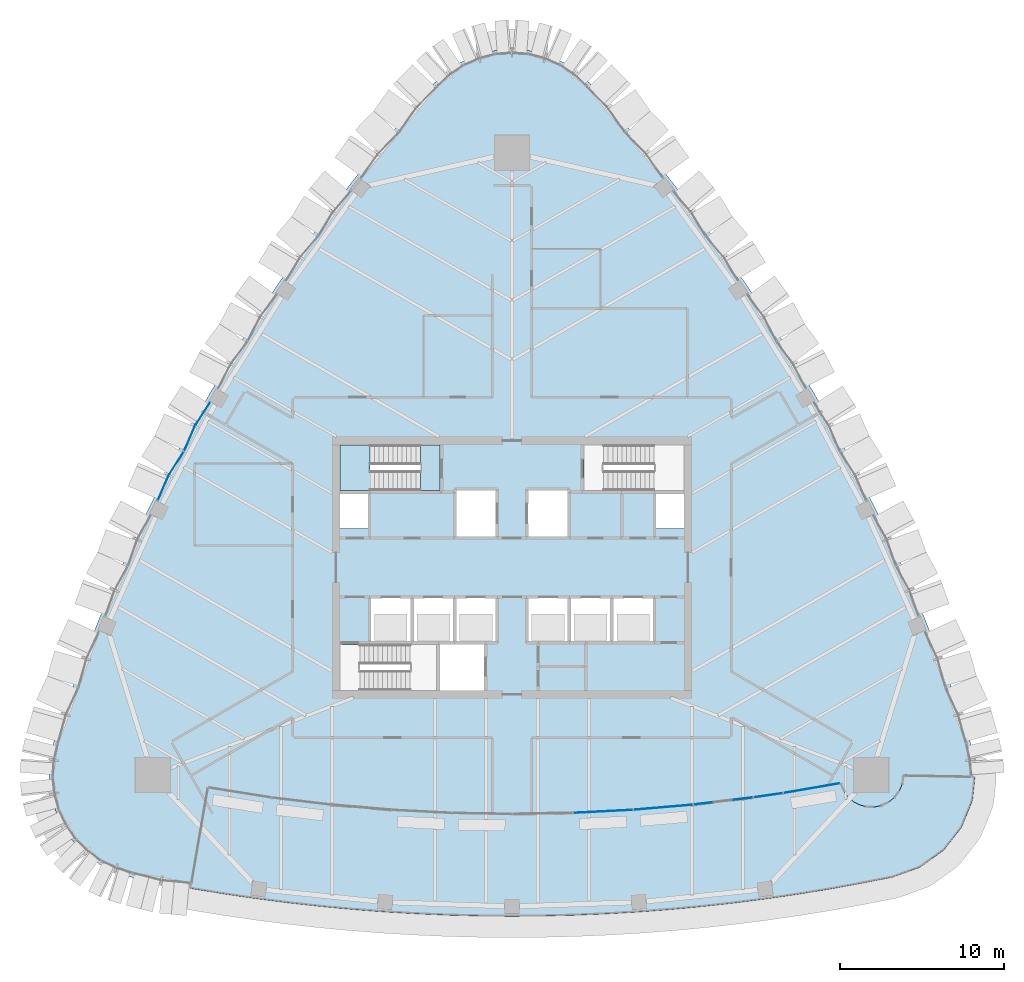
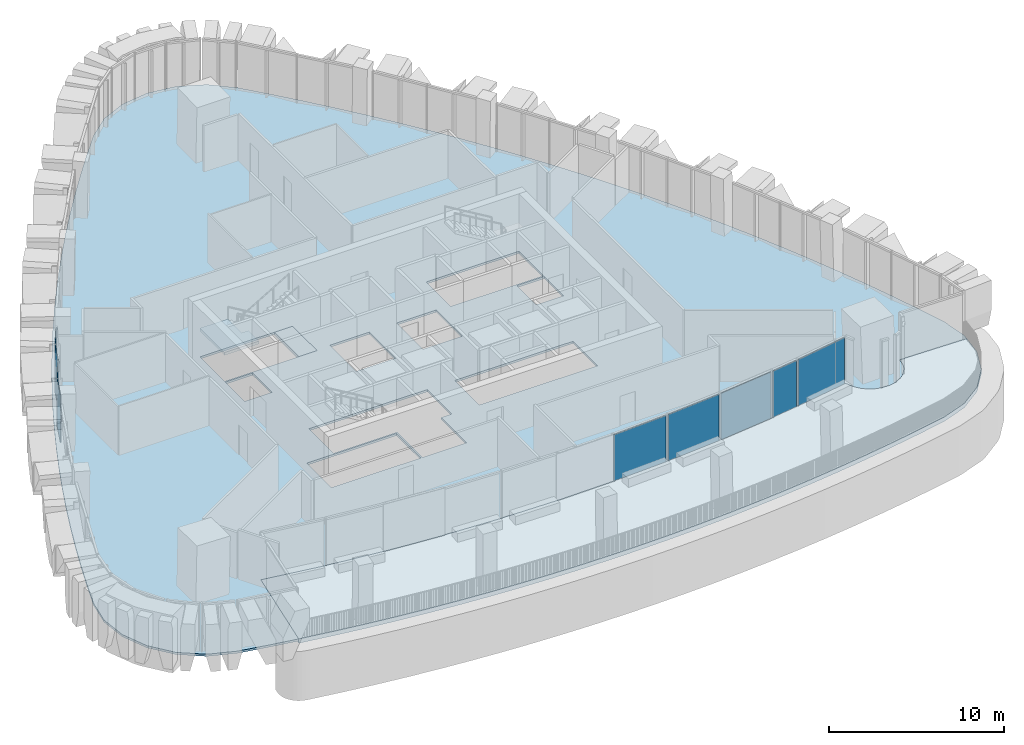
# One storey, part 10 of 22: 9 plates, 4 slabs, 7 elements without a shape of their own.
"""IFC4 building model written with IfcOpenShell, lengths in metres."""

from ifc_helpers import new_model, si_unit, direction, frame, origin, origin_2d, place, context, subcontext, project, spatial, polyline, rectangle, outline, extrude, material, layer, layer_set, type_object, element, aggregate, save


model = new_model("IFC4")

# Units and contexts
model_context = context("Model", 3, precision=1e-05, world=origin(), true_north=direction((0.0, 1.0)))
body_context = subcontext(model_context, "Body", "Model", "MODEL_VIEW")
ifc_project = project(units=[si_unit("LENGTHUNIT", "METRE"), si_unit("AREAUNIT", "SQUARE_METRE"), si_unit("VOLUMEUNIT", "CUBIC_METRE"), si_unit("PLANEANGLEUNIT", "RADIAN"), si_unit("MASSUNIT", "GRAM", prefix="KILO")], contexts=[model_context])

# Site, building, storey
site_placement = place(None, origin())
site = spatial("IfcSite", under=ifc_project, at=site_placement, CompositionType="ELEMENT")
building_placement = place(site_placement, origin())
building = spatial("IfcBuilding", under=site, at=building_placement, Name="Sierra Prisma Convention Tower", CompositionType="ELEMENT")
storey_placement = place(building_placement, frame((0.0, 0.0, 243.0)))
storey = spatial("IfcBuildingStorey", under=building, at=storey_placement, Name="L54", CompositionType="ELEMENT", Elevation=243.0)

# Curtain wall, plates
ifc_material_1 = material(Name="Aluminium and glass curtain wall", Category="aluminium")
ifc_layer_1 = layer(ifc_material_1, 0.179931640625)
ifc_layer_set_1 = layer_set([ifc_layer_1], Name="CW-2 Faceted crystal curtain wall")
curtain_wall_type_1 = type_object("IfcCurtainWallType", Name="CW-2 Faceted crystal curtain wall", PredefinedType="NOTDEFINED", material=ifc_layer_set_1)
curtain_wall_1_placement = place(storey_placement, origin())
curtain_wall_1 = element("IfcCurtainWall", 1, at=curtain_wall_1_placement, inside=storey, type_object=curtain_wall_type_1, Name="CW-2 NW4 L54", PredefinedType="NOTDEFINED")
ifc_material_2 = material(Name="Tinted glass bronze-grey IGU", Category="glass")
ifc_layer_2 = layer(ifc_material_2, 0.028076171875)
ifc_layer_set_2 = layer_set([ifc_layer_2], Name="CW-2 crystal pane")
plate_type_1 = type_object("IfcPlateType", Name="CW-2 crystal pane", PredefinedType="CURTAIN_PANEL", material=ifc_layer_set_2)
plate_1_placement = place(storey_placement, frame((-18.479248046875, 10.06884765625, 0.0), z_axis=(-0.842922209578, 0.538035452922, 0.0), x_axis=(-0.538035452922, -0.842922209578, 0.0)))
plate_1 = element("IfcPlate", 2, at=plate_1_placement, type_object=plate_type_1, Name="CW-2 pane NW4.1.1", PredefinedType="CURTAIN_PANEL", context=body_context, shape_type="SweptSolid", body=[
    extrude(outline(polyline([(0.0, 0.0), (1.6063213080226335, 0.0), (1.6063213080226335, 3.280029296875), (0.0, 3.280029296875), (0.0, 0.0)])), origin(), (0.0, 0.0, -1.0), 0.028076171875),
])
plate_2_placement = place(storey_placement, frame((-20.0458984375, 7.127685546875, 0.0), z_axis=(-0.916770177759, 0.399415123865, 0.0), x_axis=(0.399415123865, 0.916770177759, 0.0)))
plate_2 = element("IfcPlate", 3, at=plate_2_placement, type_object=plate_type_1, Name="CW-2 pane NW4.1.2", PredefinedType="CURTAIN_PANEL", context=body_context, shape_type="SweptSolid", body=[
    extrude(outline(polyline([(0.0, 0.0), (1.6063526996480268, 0.0), (1.6063526996480268, -3.280029296875), (0.0, -3.280029296875), (0.0, 0.0)])), origin(), (0.0, 0.0, -1.0), 0.028076171875),
])
plate_3_placement = place(storey_placement, frame((-20.078857421875, 7.06591796875, 0.0), z_axis=(-0.842966198768, 0.537966530311, 0.0), x_axis=(-0.537966530311, -0.842966198768, 0.0)))
plate_3 = element("IfcPlate", 4, at=plate_3_placement, type_object=plate_type_1, Name="CW-2 pane NW4.2.1", PredefinedType="CURTAIN_PANEL", context=body_context, shape_type="SweptSolid", body=[
    extrude(outline(polyline([(0.0, 0.0), (1.6065271049478245, 0.0), (1.6065271049478245, 3.280029296875), (0.0, 3.280029296875), (0.0, 0.0)])), origin(), (0.0, 0.0, -1.0), 0.028076171875),
])
plate_4_placement = place(storey_placement, frame((-21.645751953125, 4.124755859375, 0.0), z_axis=(-0.91671451981, 0.399542850229, 0.0), x_axis=(0.399542850229, 0.91671451981, 0.0)))
plate_4 = element("IfcPlate", 5, at=plate_4_placement, type_object=plate_type_1, Name="CW-2 pane NW4.2.2", PredefinedType="CURTAIN_PANEL", context=body_context, shape_type="SweptSolid", body=[
    extrude(outline(polyline([(0.0, 0.0), (1.606450228698072, 0.0), (1.606450228698072, -3.280029296875), (0.0, -3.280029296875), (0.0, 0.0)])), origin(), (0.0, 0.0, -1.0), 0.028076171875),
])
aggregate(curtain_wall_1, [plate_1, plate_2, plate_3, plate_4])

# Curtain wall, plate
ifc_material_3 = material(Name="Aluminium and glass curtain wall", Category="aluminium")
ifc_layer_3 = layer(ifc_material_3, 0.179931640625)
ifc_layer_set_3 = layer_set([ifc_layer_3], Name="CW-6 Terrace recess curtain wall")
curtain_wall_type_2 = type_object("IfcCurtainWallType", Name="CW-6 Terrace recess curtain wall", PredefinedType="NOTDEFINED", material=ifc_layer_set_3)
curtain_wall_2_placement = place(storey_placement, origin())
curtain_wall_2 = element("IfcCurtainWall", 6, at=curtain_wall_2_placement, inside=storey, type_object=curtain_wall_type_2, Name="CW-6 R7 L54", PredefinedType="NOTDEFINED")
ifc_material_4 = material(Name="Tinted glass bronze-grey IGU", Category="glass")
ifc_layer_4 = layer(ifc_material_4, 0.028076171875)
ifc_layer_set_4 = layer_set([ifc_layer_4], Name="CW-6 glass panel")
plate_type_2 = type_object("IfcPlateType", Name="CW-6 glass panel", PredefinedType="CURTAIN_PANEL", material=ifc_layer_set_4)
plate_5_placement = place(storey_placement, frame((5.531005859375, -14.898193359375, 0.0), z_axis=(0.0, 0.0, 1.0), x_axis=(0.998688784171, 0.051192893759, 0.0)))
plate_5 = element("IfcPlate", 7, at=plate_5_placement, type_object=plate_type_2, Name="CW-6 panel R7.1", PredefinedType="CURTAIN_PANEL", context=body_context, shape_type="SweptSolid", body=[
    extrude(rectangle(XDim=3.54931640625, YDim=0.028076171875, at=origin_2d()), origin(), (0.0, 0.0, 1.0), 3.219970703125),
])
aggregate(curtain_wall_2, [plate_5])

curtain_wall_3_placement = place(storey_placement, origin())
curtain_wall_3 = element("IfcCurtainWall", 8, at=curtain_wall_3_placement, inside=storey, type_object=curtain_wall_type_2, Name="CW-6 R8 L54", PredefinedType="NOTDEFINED")
plate_6_placement = place(storey_placement, frame((9.211181640625, -14.646484375, 0.0), z_axis=(0.0, 0.0, 1.0), x_axis=(0.99635914901, 0.08525518274, 0.0)))
plate_6 = element("IfcPlate", 9, at=plate_6_placement, type_object=plate_type_2, Name="CW-6 panel R8.1", PredefinedType="CURTAIN_PANEL", context=body_context, shape_type="SweptSolid", body=[
    extrude(rectangle(XDim=3.54931640625, YDim=0.028076171875, at=origin_2d()), origin(), (0.0, 0.0, 1.0), 3.219970703125),
])
aggregate(curtain_wall_3, [plate_6])

curtain_wall_4_placement = place(storey_placement, origin())
curtain_wall_4 = element("IfcCurtainWall", 10, at=curtain_wall_4_placement, inside=storey, type_object=curtain_wall_type_2, Name="CW-6 R9 L54", PredefinedType="NOTDEFINED")
plate_7_placement = place(storey_placement, frame((12.880615234375, -14.269287109375, 0.0), z_axis=(0.0, 0.0, 1.0), x_axis=(0.992868091138, 0.119218092591, 0.0)))
plate_7 = element("IfcPlate", 11, at=plate_7_placement, type_object=plate_type_2, Name="CW-6 panel R9.1", PredefinedType="CURTAIN_PANEL", context=body_context, shape_type="SweptSolid", body=[
    extrude(rectangle(XDim=3.54931640625, YDim=0.028076171875, at=origin_2d()), origin(), (0.0, 0.0, 1.0), 3.219970703125),
])
aggregate(curtain_wall_4, [plate_7])

curtain_wall_5_placement = place(storey_placement, origin())
curtain_wall_5 = element("IfcCurtainWall", 12, at=curtain_wall_5_placement, inside=storey, type_object=curtain_wall_type_2, Name="CW-6 R10 L54", PredefinedType="NOTDEFINED")
plate_8_placement = place(storey_placement, frame((15.624755859375, -13.916015625, 0.0), z_axis=(0.0, 0.0, 1.0), x_axis=(0.989490011307, 0.144601236248, 0.0)))
plate_8 = element("IfcPlate", 13, at=plate_8_placement, type_object=plate_type_2, Name="CW-6 panel R10.1", PredefinedType="CURTAIN_PANEL", context=body_context, shape_type="SweptSolid", body=[
    extrude(rectangle(XDim=1.704833984375, YDim=0.028076171875, at=origin_2d()), origin(), (0.0, 0.0, 1.0), 3.219970703125),
])
aggregate(curtain_wall_5, [plate_8])

curtain_wall_6_placement = place(storey_placement, origin())
curtain_wall_6 = element("IfcCurtainWall", 14, at=curtain_wall_6_placement, inside=storey, type_object=curtain_wall_type_2, Name="CW-6 R11 L54", PredefinedType="NOTDEFINED")
plate_9_placement = place(storey_placement, frame((18.302978515625, -13.478515625, 0.0), z_axis=(0.0, 0.0, 1.0), x_axis=(0.98550601834, 0.169640466325, 0.0)))
plate_9 = element("IfcPlate", 15, at=plate_9_placement, type_object=plate_type_2, Name="CW-6 panel R11.1", PredefinedType="CURTAIN_PANEL", context=body_context, shape_type="SweptSolid", body=[
    extrude(rectangle(XDim=3.443115234375, YDim=0.028076171875, at=origin_2d()), origin(), (0.0, 0.0, 1.0), 3.219970703125),
])
aggregate(curtain_wall_6, [plate_9])

# Slab
ifc_material_5 = material(Name="Concrete C35/45", Category="concrete")
ifc_layer_5 = layer(ifc_material_5, 0.14990234375)
ifc_layer_set_5 = layer_set([ifc_layer_5], Name="Composite floor slab 150")
slab_type_1 = type_object("IfcSlabType", Name="Composite floor slab 150", PredefinedType="FLOOR", material=ifc_layer_set_5)
slab_1_placement = place(storey_placement, frame((0.0, 0.0, -0.14990234375)))
element("IfcSlab", 16, at=slab_1_placement, inside=storey, type_object=slab_type_1, Name="Floor slab L54 floor", PredefinedType="FLOOR", context=body_context, shape_type="SweptSolid", body=[
    extrude(outline(polyline([(-21.33984375, -19.296142578125), (-19.643798828125, -19.603515625), (-18.576904296875, -13.431396484375), (-14.712158203125, -14.04931640625), (-11.049072265625, -14.489013671875), (-9.21240234375, -14.662109375), (-7.373291015625, -14.8037109375), (-3.688720703125, -14.992431640625), (0.0, -15.055419921875), (3.688720703125, -14.992431640625), (7.373291015625, -14.8037109375), (9.21240234375, -14.662109375), (11.049072265625, -14.489013671875), (14.712158203125, -14.04931640625), (16.537353515625, -13.782470703125), (20.068603515625, -13.174560546875), (20.33154296875, -13.763671875), (20.57470703125, -14.06005859375), (20.87109375, -14.30322265625), (21.209228515625, -14.484130859375), (21.576171875, -14.59521484375), (22.1494140625, -14.62353515625), (22.525390625, -14.548583984375), (23.044189453125, -14.30322265625), (23.340576171875, -14.06005859375), (23.682373046875, -13.59912109375), (23.8291015625, -13.244873046875), (23.907958984375, -12.712646484375), (28.285888671875, -12.81005859375), (28.324462890625, -12.435546875), (28.008056640625, -10.6806640625), (27.380859375, -8.832763671875), (26.72216796875, -6.995849609375), (26.031982421875, -5.170654296875), (25.31103515625, -3.357421875), (24.55908203125, -1.556640625), (23.776611328125, 0.23095703125), (22.963623046875, 2.005126953125), (22.120361328125, 3.764892578125), (21.247314453125, 5.51025390625), (20.3447265625, 7.240234375), (19.41259765625, 8.95458984375), (18.451171875, 10.65283203125), (17.461181640625, 12.33447265625), (16.442626953125, 13.998779296875), (15.3955078125, 15.645751953125), (14.32080078125, 17.2744140625), (13.21826171875, 18.884521484375), (12.08837890625, 20.4755859375), (10.931396484375, 22.047119140625), (9.748046875, 23.5986328125), (8.5380859375, 25.129638671875), (7.302490234375, 26.639892578125), (6.041015625, 28.12890625), (4.75439453125, 29.59619140625), (3.392822265625, 30.74755859375), (1.765625, 31.476318359375), (0.0, 31.725830078125), (-1.765625, 31.476318359375), (-3.392822265625, 30.74755859375), (-4.75439453125, 29.59619140625), (-6.041015625, 28.12890625), (-7.302490234375, 26.639892578125), (-8.5380859375, 25.129638671875), (-9.748046875, 23.5986328125), (-10.931396484375, 22.047119140625), (-12.08837890625, 20.4755859375), (-13.21826171875, 18.884521484375), (-14.32080078125, 17.2744140625), (-15.3955078125, 15.645751953125), (-16.442626953125, 13.998779296875), (-17.461181640625, 12.33447265625), (-18.451171875, 10.65283203125), (-19.41259765625, 8.95458984375), (-20.3447265625, 7.240234375), (-21.247314453125, 5.51025390625), (-22.120361328125, 3.764892578125), (-22.963623046875, 2.005126953125), (-23.776611328125, 0.23095703125), (-24.55908203125, -1.556640625), (-25.31103515625, -3.357421875), (-26.031982421875, -5.170654296875), (-26.72216796875, -6.995849609375), (-27.380859375, -8.832763671875), (-28.008056640625, -10.6806640625), (-28.324462890625, -12.435546875), (-28.14208984375, -14.209228515625), (-27.4755859375, -15.863037109375), (-26.376708984375, -17.267333984375), (-24.931640625, -18.31201171875), (-23.25390625, -18.91552734375), (-21.33984375, -19.296142578125)]), holes=[polyline([(-4.60009765625, -4.699951171875), (-4.60009765625, -7.5), (-10.5, -7.5), (-10.5, -4.699951171875), (-4.60009765625, -4.699951171875)]), polyline([(-4.5, -7.5), (-4.5, -4.60009765625), (-6.10009765625, -4.60009765625), (-8.699951171875, -4.60009765625), (-8.699951171875, -1.800048828125), (-6.10009765625, -1.800048828125), (-3.5, -1.800048828125), (-0.89990234375, -1.800048828125), (-0.89990234375, -4.60009765625), (-1.60009765625, -4.60009765625), (-1.60009765625, -7.5), (-4.5, -7.5)]), polyline([(-8.699951171875, 2.39990234375), (-10.5, 2.39990234375), (-10.5, 4.60009765625), (-8.699951171875, 4.60009765625), (-8.699951171875, 2.39990234375)]), polyline([(-4.39990234375, 4.699951171875), (-10.5, 4.699951171875), (-10.5, 7.5), (-4.39990234375, 7.5), (-4.39990234375, 4.699951171875)]), polyline([(3.5, -1.800048828125), (6.10009765625, -1.800048828125), (8.699951171875, -1.800048828125), (8.699951171875, -4.60009765625), (6.10009765625, -4.60009765625), (3.5, -4.60009765625), (0.89990234375, -4.60009765625), (0.89990234375, -1.800048828125), (3.5, -1.800048828125)]), polyline([(-0.89990234375, 1.800048828125), (-3.5, 1.800048828125), (-3.5, 4.800048828125), (-0.89990234375, 4.800048828125), (-0.89990234375, 1.800048828125)]), polyline([(3.5, 1.800048828125), (0.89990234375, 1.800048828125), (0.89990234375, 4.800048828125), (3.5, 4.800048828125), (3.5, 1.800048828125)]), polyline([(10.5, 2.39990234375), (8.699951171875, 2.39990234375), (8.699951171875, 4.60009765625), (10.5, 4.60009765625), (10.5, 2.39990234375)]), polyline([(10.5, 4.699951171875), (4.39990234375, 4.699951171875), (4.39990234375, 7.5), (10.5, 7.5), (10.5, 4.699951171875)])]), origin(), (0.0, 0.0, 1.0), 0.14990234375),
])

# Stair, slab
ifc_material_6 = material(Name="Concrete C30/37", Category="concrete")
stair_type = type_object("IfcStairType", Name="Stair dog-leg 1200 RC", PredefinedType="HALF_TURN_STAIR", material=ifc_material_6)
stair_placement = place(storey_placement, origin())
stair = element("IfcStair", 17, at=stair_placement, inside=storey, type_object=stair_type, Name="L54 S3", PredefinedType="HALF_TURN_STAIR")
ifc_material_7 = material(Name="Concrete C35/45", Category="concrete")
ifc_layer_6 = layer(ifc_material_7, 0.199951171875)
ifc_layer_set_6 = layer_set([ifc_layer_6], Name="Stair landing slab")
slab_type_2 = type_object("IfcSlabType", Name="Stair landing slab", PredefinedType="LANDING", material=ifc_layer_set_6)
slab_2_placement = place(storey_placement, frame((0.0, 0.0, 1.800048828125)))
slab_2 = element("IfcSlab", 18, at=slab_2_placement, type_object=slab_type_2, Name="S3 landing 1", PredefinedType="LANDING", context=body_context, shape_type="SweptSolid", body=[
    extrude(outline(polyline([(-8.22998046875, 5.89990234375), (-8.22998046875, 4.699951171875), (-10.5, 4.699951171875), (-10.5, 7.5), (-8.677978515625, 7.5), (-8.677978515625, 5.89990234375), (-8.22998046875, 5.89990234375)])), origin(), (0.0, 0.0, 1.0), 0.199951171875),
])
aggregate(stair, [slab_2])

# Slabs
slab_3_placement = place(storey_placement, frame((0.0, 0.0, -0.199951171875)))
element("IfcSlab", 19, at=slab_3_placement, inside=storey, type_object=slab_type_2, Name="S3 floor landing L54", PredefinedType="LANDING", context=body_context, shape_type="SweptSolid", body=[
    extrude(outline(polyline([(-4.39990234375, 7.5), (-5.60205078125, 7.5), (-5.60205078125, 4.699951171875), (-4.39990234375, 4.699951171875), (-4.39990234375, 7.5)])), origin(), (0.0, 0.0, 1.0), 0.199951171875),
])
ifc_material_8 = material(Name="Concrete C50/60", Category="concrete")
ifc_layer_7 = layer(ifc_material_8, 0.300048828125)
ifc_layer_set_7 = layer_set([ifc_layer_7], Name="Terrace slab")
slab_type_3 = type_object("IfcSlabType", Name="Terrace slab", PredefinedType="FLOOR", material=ifc_layer_set_7)
slab_4_placement = place(storey_placement, frame((0.0, 0.0, -0.300048828125)))
element("IfcSlab", 20, at=slab_4_placement, inside=storey, type_object=slab_type_3, Name="Terrace slab L54", PredefinedType="FLOOR", context=body_context, shape_type="SweptSolid", body=[
    extrude(outline(polyline([(-19.643798828125, -19.603515625), (-19.419677734375, -19.64404296875), (-17.493896484375, -19.959228515625), (-15.56298828125, -20.2412109375), (-13.627685546875, -20.490478515625), (-11.688232421875, -20.70654296875), (-9.745361328125, -20.8896484375), (-7.7998046875, -21.039306640625), (-5.851806640625, -21.15576171875), (-3.902099609375, -21.239013671875), (-1.951416015625, -21.2890625), (0.0, -21.3056640625), (1.951416015625, -21.2890625), (3.902099609375, -21.239013671875), (5.851806640625, -21.15576171875), (7.7998046875, -21.039306640625), (9.745361328125, -20.8896484375), (11.688232421875, -20.70654296875), (13.627685546875, -20.490478515625), (15.56298828125, -20.2412109375), (17.493896484375, -19.959228515625), (19.419677734375, -19.64404296875), (21.33984375, -19.296142578125), (23.25390625, -18.91552734375), (24.931640625, -18.31201171875), (26.376708984375, -17.267333984375), (27.4755859375, -15.863037109375), (28.14208984375, -14.209228515625), (28.285888671875, -12.81005859375), (23.907958984375, -12.712646484375), (23.8291015625, -13.244873046875), (23.682373046875, -13.59912109375), (23.340576171875, -14.06005859375), (23.044189453125, -14.30322265625), (22.525390625, -14.548583984375), (22.1494140625, -14.62353515625), (21.576171875, -14.59521484375), (21.209228515625, -14.484130859375), (20.87109375, -14.30322265625), (20.57470703125, -14.06005859375), (20.33154296875, -13.763671875), (20.068603515625, -13.174560546875), (16.537353515625, -13.782470703125), (14.712158203125, -14.04931640625), (11.049072265625, -14.489013671875), (9.21240234375, -14.662109375), (7.373291015625, -14.8037109375), (3.688720703125, -14.992431640625), (0.0, -15.055419921875), (-3.688720703125, -14.992431640625), (-7.373291015625, -14.8037109375), (-9.21240234375, -14.662109375), (-11.049072265625, -14.489013671875), (-14.712158203125, -14.04931640625), (-18.576904296875, -13.431396484375), (-19.643798828125, -19.603515625)])), origin(), (0.0, 0.0, 1.0), 0.300048828125),
])

save(model, "model.ifc")
